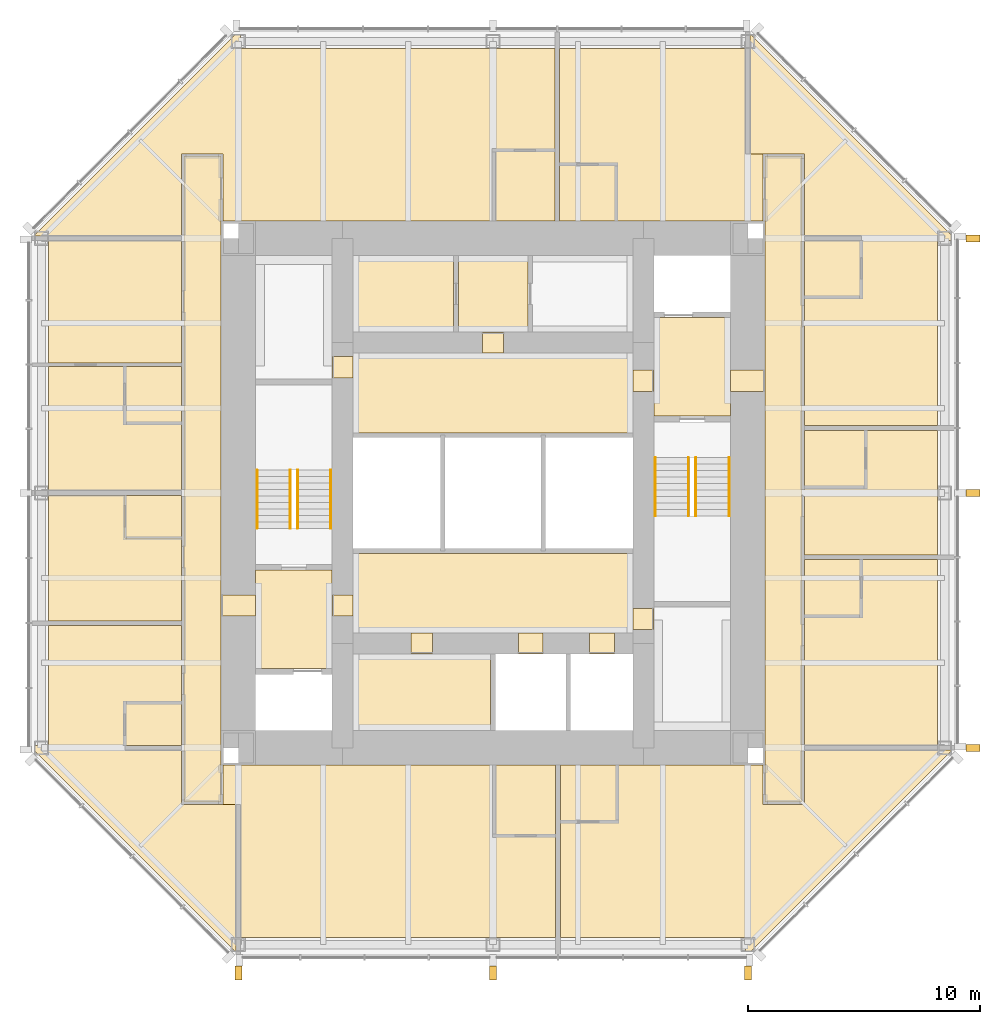
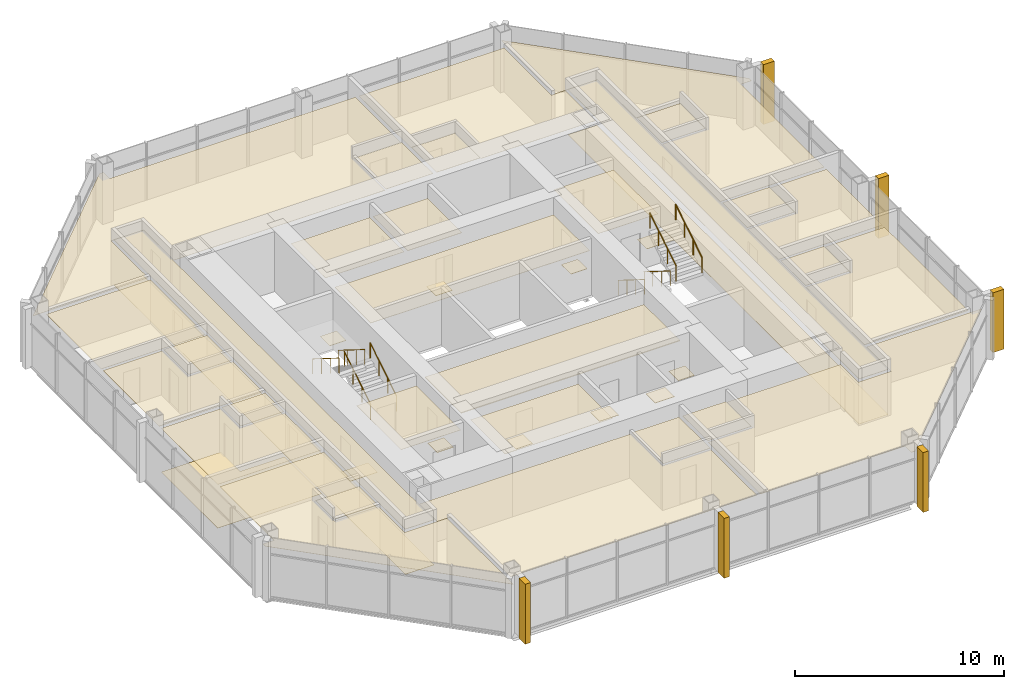
# One storey, part 11 of 11: 49 coverings, 8 railings.
"""IFC4 building model written with IfcOpenShell, lengths in metres."""

from ifc_helpers import new_model, si_unit, direction, frame, origin, origin_2d, place, context, subcontext, project, spatial, polyline, rectangle, circle, outline, extrude, material, layer, layer_set, type_object, element, save


model = new_model("IFC4")

# Units and contexts
model_context = context("Model", 3, precision=1e-05, world=origin(), true_north=direction((0.0, 1.0)))
body_context = subcontext(model_context, "Body", "Model", "MODEL_VIEW")
ifc_project = project(units=[si_unit("LENGTHUNIT", "METRE"), si_unit("AREAUNIT", "SQUARE_METRE"), si_unit("VOLUMEUNIT", "CUBIC_METRE"), si_unit("PLANEANGLEUNIT", "RADIAN"), si_unit("MASSUNIT", "GRAM", prefix="KILO")], contexts=[model_context])

# Site, building, storey
site_placement = place(None, origin())
site = spatial("IfcSite", under=ifc_project, at=site_placement, CompositionType="ELEMENT")
building_placement = place(site_placement, origin())
building = spatial("IfcBuilding", under=site, at=building_placement, Name="Trevanion Tower", CompositionType="ELEMENT")
storey_placement = place(building_placement, frame((0.0, 0.0, 250.199951171875)))
storey = spatial("IfcBuildingStorey", under=building, at=storey_placement, Name="L61", CompositionType="ELEMENT", Elevation=250.199951171875)

# Coverings
ifc_material_1 = material(Name="Fibrous plaster coffers on suspended steel grid", Category="steel")
ifc_layer_1 = layer(ifc_material_1, 0.050048828125)
ifc_layer_set_1 = layer_set([ifc_layer_1], Name="CL1 coffered fibrous plaster ceiling 50")
covering_type_1 = type_object("IfcCoveringType", Name="CL1 coffered fibrous plaster ceiling 50", PredefinedType="CEILING", material=ifc_layer_set_1)
covering_1_placement = place(storey_placement, frame((0.0, 0.0, 2.429931640625)))
element("IfcCovering", 1, at=covering_1_placement, inside=storey, type_object=covering_type_1, Name="CL1 L61-LBS", PredefinedType="CEILING", context=body_context, shape_type="SweptSolid", body=[
    extrude(outline(polyline([(6.050048828125, -6.050048828125), (6.050048828125, -2.60009765625), (-6.050048828125, -2.60009765625), (-6.050048828125, -6.050048828125), (6.050048828125, -6.050048828125)])), origin(), (0.0, 0.0, 1.0), 0.050048828125),
])
ifc_material_2 = material(Name="Mineral fibre acoustic tiles in exposed grid", Category="mineral fibre")
ifc_layer_2 = layer(ifc_material_2, 0.02001953125)
ifc_layer_set_2 = layer_set([ifc_layer_2], Name="CL2 acoustic tile ceiling 20")
covering_type_2 = type_object("IfcCoveringType", Name="CL2 acoustic tile ceiling 20", PredefinedType="CEILING", material=ifc_layer_set_2)
covering_2_placement = place(storey_placement, frame((0.0, 0.0, 2.4599609375)))
element("IfcCovering", 2, at=covering_2_placement, inside=storey, type_object=covering_type_2, Name="CL2 L61-LBN", PredefinedType="CEILING", context=body_context, shape_type="SweptSolid", body=[
    extrude(outline(polyline([(6.050048828125, 2.60009765625), (6.050048828125, 6.050048828125), (-6.050048828125, 6.050048828125), (-6.050048828125, 2.60009765625), (6.050048828125, 2.60009765625)])), origin(), (0.0, 0.0, 1.0), 0.02001953125),
])
covering_3_placement = place(storey_placement, frame((0.0, 0.0, 2.4599609375)))
element("IfcCovering", 3, at=covering_3_placement, inside=storey, type_object=covering_type_2, Name="CL2 L61-HKC", PredefinedType="CEILING", context=body_context, shape_type="SweptSolid", body=[
    extrude(outline(polyline([(1.5, 6.949951171875), (1.5, 10.25), (-1.5, 10.25), (-1.5, 6.949951171875), (1.5, 6.949951171875)])), origin(), (0.0, 0.0, 1.0), 0.02001953125),
])
covering_4_placement = place(storey_placement, frame((0.0, 0.0, 2.633056640625)))
element("IfcCovering", 4, at=covering_4_placement, inside=storey, type_object=covering_type_2, Name="CL2 L61-CO1", PredefinedType="CEILING", context=body_context, shape_type="SweptSolid", body=[
    extrude(outline(polyline([(-11.75, 14.550048828125), (-11.75, -13.35009765625), (-13.35009765625, -13.35009765625), (-13.35009765625, 14.550048828125), (-11.75, 14.550048828125)])), origin(), (0.0, 0.0, 1.0), 0.02001953125),
])
covering_5_placement = place(storey_placement, frame((0.0, 0.0, 2.633056640625)))
element("IfcCovering", 5, at=covering_5_placement, inside=storey, type_object=covering_type_2, Name="CL2 L61-CO2", PredefinedType="CEILING", context=body_context, shape_type="SweptSolid", body=[
    extrude(outline(polyline([(11.75, -13.35009765625), (11.75, 14.550048828125), (13.35009765625, 14.550048828125), (13.35009765625, -13.35009765625), (11.75, -13.35009765625)])), origin(), (0.0, 0.0, 1.0), 0.02001953125),
])
ifc_material_3 = material(Name="Gypsum plasterboard on suspended metal furring", Category="gypsum")
ifc_layer_3 = layer(ifc_material_3, 0.012939453125)
ifc_layer_set_3 = layer_set([ifc_layer_3], Name="CL3 plasterboard ceiling 13")
covering_type_3 = type_object("IfcCoveringType", Name="CL3 plasterboard ceiling 13", PredefinedType="CEILING", material=ifc_layer_set_3)
covering_6_placement = place(storey_placement, frame((0.0, 0.0, 2.699951171875)))
element("IfcCovering", 6, at=covering_6_placement, inside=storey, type_object=covering_type_3, Name="CL3 L61-FV1", PredefinedType="CEILING", context=body_context, shape_type="SweptSolid", body=[
    extrude(outline(polyline([(10.25, 3.324951171875), (10.25, 7.574951171875), (6.949951171875, 7.574951171875), (6.949951171875, 3.324951171875), (10.25, 3.324951171875)])), origin(), (0.0, 0.0, 1.0), 0.01318359375),
])
covering_7_placement = place(storey_placement, frame((0.0, 0.0, 2.699951171875)))
element("IfcCovering", 7, at=covering_7_placement, inside=storey, type_object=covering_type_3, Name="CL3 L61-FV2", PredefinedType="CEILING", context=body_context, shape_type="SweptSolid", body=[
    extrude(outline(polyline([(-10.25, -3.324951171875), (-10.25, -7.574951171875), (-6.949951171875, -7.574951171875), (-6.949951171875, -3.324951171875), (-10.25, -3.324951171875)])), origin(), (0.0, 0.0, 1.0), 0.01318359375),
])
covering_8_placement = place(storey_placement, frame((0.0, 0.0, 2.551025390625)))
element("IfcCovering", 8, at=covering_8_placement, inside=storey, type_object=covering_type_3, Name="CL3 L61-GJ", PredefinedType="CEILING", context=body_context, shape_type="SweptSolid", body=[
    extrude(outline(polyline([(13.449951171875, -5.324951171875), (15.89990234375, -5.324951171875), (15.89990234375, -2.875), (19.199951171875, -2.875), (19.199951171875, -10.89990234375), (13.449951171875, -10.89990234375), (13.449951171875, -5.324951171875)])), origin(), (0.0, 0.0, 1.0), 0.012939453125),
])
covering_9_placement = place(storey_placement, frame((0.0, 0.0, 2.551025390625)))
element("IfcCovering", 9, at=covering_9_placement, inside=storey, type_object=covering_type_3, Name="CL3 L61-GA", PredefinedType="CEILING", context=body_context, shape_type="SweptSolid", body=[
    extrude(outline(polyline([(13.449951171875, 0.257080078125), (16.10009765625, 0.257080078125), (16.10009765625, 2.70703125), (19.199951171875, 2.70703125), (19.199951171875, -2.675048828125), (13.449951171875, -2.675048828125), (13.449951171875, 0.257080078125)])), origin(), (0.0, 0.0, 1.0), 0.012939453125),
])
covering_10_placement = place(storey_placement, frame((0.0, 0.0, 2.551025390625)))
element("IfcCovering", 10, at=covering_10_placement, inside=storey, type_object=covering_type_3, Name="CL3 L61-GJ2", PredefinedType="CEILING", context=body_context, shape_type="SweptSolid", body=[
    extrude(outline(polyline([(11.10009765625, 14.64990234375), (11.10009765625, 19.800048828125), (11.124267578125, 19.800048828125), (19.800048828125, 11.124267578125), (19.800048828125, 10.89990234375), (19.199951171875, 10.89990234375), (19.199951171875, 2.906982421875), (13.449951171875, 2.906982421875), (13.449951171875, 8.449951171875), (15.89990234375, 8.449951171875), (15.89990234375, 10.949951171875), (13.449951171875, 10.949951171875), (13.449951171875, 14.64990234375), (11.10009765625, 14.64990234375)])), origin(), (0.0, 0.0, 1.0), 0.012939453125),
])
covering_11_placement = place(storey_placement, frame((0.0, 0.0, 2.551025390625)))
element("IfcCovering", 11, at=covering_11_placement, inside=storey, type_object=covering_type_3, Name="CL3 L61-GJ3", PredefinedType="CEILING", context=body_context, shape_type="SweptSolid", body=[
    extrude(outline(polyline([(2.875, 19.199951171875), (10.89990234375, 19.199951171875), (10.89990234375, 14.64990234375), (11.64990234375, 14.64990234375), (11.64990234375, 11.75), (5.324951171875, 11.75), (5.324951171875, 14.199951171875), (2.875, 14.199951171875), (2.875, 19.199951171875)])), origin(), (0.0, 0.0, 1.0), 0.012939453125),
])
covering_12_placement = place(storey_placement, frame((0.0, 0.0, 2.551025390625)))
element("IfcCovering", 12, at=covering_12_placement, inside=storey, type_object=covering_type_3, Name="CL3 L61-GY", PredefinedType="CEILING", context=body_context, shape_type="SweptSolid", body=[
    extrude(outline(polyline([(-13.449951171875, 11.10009765625), (-19.800048828125, 11.10009765625), (-19.800048828125, 11.124267578125), (-11.124267578125, 19.800048828125), (-10.89990234375, 19.800048828125), (-10.89990234375, 19.199951171875), (2.675048828125, 19.199951171875), (2.675048828125, 14.800048828125), (0.02490234375, 14.800048828125), (0.02490234375, 11.75), (-11.64990234375, 11.75), (-11.64990234375, 14.64990234375), (-13.449951171875, 14.64990234375), (-13.449951171875, 11.10009765625)])), origin(), (0.0, 0.0, 1.0), 0.012939453125),
])
covering_13_placement = place(storey_placement, frame((0.0, 0.0, 2.551025390625)))
element("IfcCovering", 13, at=covering_13_placement, inside=storey, type_object=covering_type_3, Name="CL3 L61-SL", PredefinedType="CEILING", context=body_context, shape_type="SweptSolid", body=[
    extrude(outline(polyline([(-13.449951171875, 10.89990234375), (-13.449951171875, 5.6240234375), (-19.199951171875, 5.6240234375), (-19.199951171875, 10.89990234375), (-13.449951171875, 10.89990234375)])), origin(), (0.0, 0.0, 1.0), 0.012939453125),
])
covering_14_placement = place(storey_placement, frame((0.0, 0.0, 2.551025390625)))
element("IfcCovering", 14, at=covering_14_placement, inside=storey, type_object=covering_type_3, Name="CL3 L61-SB", PredefinedType="CEILING", context=body_context, shape_type="SweptSolid", body=[
    extrude(outline(polyline([(-13.449951171875, 0.10009765625), (-19.199951171875, 0.10009765625), (-19.199951171875, 5.47412109375), (-15.89990234375, 5.47412109375), (-15.89990234375, 3.02392578125), (-13.449951171875, 3.02392578125), (-13.449951171875, 0.10009765625)])), origin(), (0.0, 0.0, 1.0), 0.012939453125),
])
covering_15_placement = place(storey_placement, frame((0.0, 0.0, 2.551025390625)))
element("IfcCovering", 15, at=covering_15_placement, inside=storey, type_object=covering_type_3, Name="CL3 L61-GR", PredefinedType="CEILING", context=body_context, shape_type="SweptSolid", body=[
    extrude(outline(polyline([(-13.449951171875, -5.513916015625), (-19.199951171875, -5.513916015625), (-19.199951171875, -0.10009765625), (-15.89990234375, -0.10009765625), (-15.89990234375, -1.949951171875), (-13.449951171875, -1.949951171875), (-13.449951171875, -5.513916015625)])), origin(), (0.0, 0.0, 1.0), 0.012939453125),
])
covering_16_placement = place(storey_placement, frame((0.0, 0.0, 2.551025390625)))
element("IfcCovering", 16, at=covering_16_placement, inside=storey, type_object=covering_type_3, Name="CL3 L61-GR2", PredefinedType="CEILING", context=body_context, shape_type="SweptSolid", body=[
    extrude(outline(polyline([(-11.10009765625, -13.449951171875), (-11.10009765625, -19.800048828125), (-11.124267578125, -19.800048828125), (-19.800048828125, -11.124267578125), (-19.800048828125, -10.89990234375), (-19.199951171875, -10.89990234375), (-19.199951171875, -5.714111328125), (-13.449951171875, -5.714111328125), (-13.449951171875, -9.050048828125), (-15.89990234375, -9.050048828125), (-15.89990234375, -10.949951171875), (-13.449951171875, -10.949951171875), (-13.449951171875, -13.449951171875), (-11.10009765625, -13.449951171875)])), origin(), (0.0, 0.0, 1.0), 0.012939453125),
])
covering_17_placement = place(storey_placement, frame((0.0, 0.0, 2.551025390625)))
element("IfcCovering", 17, at=covering_17_placement, inside=storey, type_object=covering_type_3, Name="CL3 L61-GY2", PredefinedType="CEILING", context=body_context, shape_type="SweptSolid", body=[
    extrude(outline(polyline([(2.70703125, -19.199951171875), (-10.89990234375, -19.199951171875), (-10.89990234375, -13.449951171875), (-11.64990234375, -13.449951171875), (-11.64990234375, -11.75), (0.056884765625, -11.75), (0.056884765625, -14.800048828125), (2.70703125, -14.800048828125), (2.70703125, -19.199951171875)])), origin(), (0.0, 0.0, 1.0), 0.012939453125),
])
covering_18_placement = place(storey_placement, frame((0.0, 0.0, 2.551025390625)))
element("IfcCovering", 18, at=covering_18_placement, inside=storey, type_object=covering_type_3, Name="CL3 L61-GJ4", PredefinedType="CEILING", context=body_context, shape_type="SweptSolid", body=[
    extrude(outline(polyline([(13.449951171875, -11.10009765625), (19.800048828125, -11.10009765625), (19.800048828125, -11.124267578125), (11.124267578125, -19.800048828125), (10.89990234375, -19.800048828125), (10.89990234375, -19.199951171875), (2.906982421875, -19.199951171875), (2.906982421875, -14.199951171875), (5.35693359375, -14.199951171875), (5.35693359375, -11.75), (11.64990234375, -11.75), (11.64990234375, -13.449951171875), (13.449951171875, -13.449951171875), (13.449951171875, -11.10009765625)])), origin(), (0.0, 0.0, 1.0), 0.012939453125),
])
ifc_material_4 = material(Name="Moisture-resistant gypsum board on suspended metal furring", Category="gypsum")
ifc_layer_4 = layer(ifc_material_4, 0.01611328125)
ifc_layer_set_4 = layer_set([ifc_layer_4], Name="CL4 moisture-resistant board ceiling 16")
covering_type_4 = type_object("IfcCoveringType", Name="CL4 moisture-resistant board ceiling 16", PredefinedType="CEILING", material=ifc_layer_set_4)
covering_19_placement = place(storey_placement, frame((0.0, 0.0, 2.60009765625)))
element("IfcCovering", 19, at=covering_19_placement, inside=storey, type_object=covering_type_4, Name="CL4 L61-SI1", PredefinedType="CEILING", context=body_context, shape_type="SweptSolid", body=[
    extrude(outline(polyline([(-0.10009765625, -10.25), (-0.10009765625, -6.949951171875), (-6.050048828125, -6.949951171875), (-6.050048828125, -10.25), (-0.10009765625, -10.25)])), origin(), (0.0, 0.0, 1.0), 0.015869140625),
])
covering_20_placement = place(storey_placement, frame((0.0, 0.0, 2.464111328125)))
element("IfcCovering", 20, at=covering_20_placement, inside=storey, type_object=covering_type_4, Name="CL4 L61-HK", PredefinedType="CEILING", context=body_context, shape_type="SweptSolid", body=[
    extrude(outline(polyline([(-1.699951171875, 6.949951171875), (-1.699951171875, 10.25), (-6.050048828125, 10.25), (-6.050048828125, 6.949951171875), (-1.699951171875, 6.949951171875)])), origin(), (0.0, 0.0, 1.0), 0.015869140625),
])
covering_21_placement = place(storey_placement, frame((0.0, 0.0, 2.60009765625)))
element("IfcCovering", 21, at=covering_21_placement, inside=storey, type_object=covering_type_4, Name="CL4 L61-EN", PredefinedType="CEILING", context=body_context, shape_type="SweptSolid", body=[
    extrude(outline(polyline([(15.85009765625, -5.27490234375), (15.85009765625, -2.875), (13.449951171875, -2.875), (13.449951171875, -5.27490234375), (15.85009765625, -5.27490234375)])), origin(), (0.0, 0.0, 1.0), 0.015869140625),
])
covering_22_placement = place(storey_placement, frame((0.0, 0.0, 2.60009765625)))
element("IfcCovering", 22, at=covering_22_placement, inside=storey, type_object=covering_type_4, Name="CL4 L61-EN2", PredefinedType="CEILING", context=body_context, shape_type="SweptSolid", body=[
    extrude(outline(polyline([(16.050048828125, 0.306884765625), (16.050048828125, 2.70703125), (13.449951171875, 2.70703125), (13.449951171875, 0.306884765625), (16.050048828125, 0.306884765625)])), origin(), (0.0, 0.0, 1.0), 0.015869140625),
])
covering_23_placement = place(storey_placement, frame((0.0, 0.0, 2.60009765625)))
element("IfcCovering", 23, at=covering_23_placement, inside=storey, type_object=covering_type_4, Name="CL4 L61-EN3", PredefinedType="CEILING", context=body_context, shape_type="SweptSolid", body=[
    extrude(outline(polyline([(15.85009765625, 8.5), (15.85009765625, 10.89990234375), (13.449951171875, 10.89990234375), (13.449951171875, 8.5), (15.85009765625, 8.5)])), origin(), (0.0, 0.0, 1.0), 0.015869140625),
])
covering_24_placement = place(storey_placement, frame((0.0, 0.0, 2.60009765625)))
element("IfcCovering", 24, at=covering_24_placement, inside=storey, type_object=covering_type_4, Name="CL4 L61-EN4", PredefinedType="CEILING", context=body_context, shape_type="SweptSolid", body=[
    extrude(outline(polyline([(5.27490234375, 14.14990234375), (2.875, 14.14990234375), (2.875, 11.75), (5.27490234375, 11.75), (5.27490234375, 14.14990234375)])), origin(), (0.0, 0.0, 1.0), 0.015869140625),
])
covering_25_placement = place(storey_placement, frame((0.0, 0.0, 2.60009765625)))
element("IfcCovering", 25, at=covering_25_placement, inside=storey, type_object=covering_type_4, Name="CL4 L61-EN5", PredefinedType="CEILING", context=body_context, shape_type="SweptSolid", body=[
    extrude(outline(polyline([(2.675048828125, 14.75), (0.074951171875, 14.75), (0.074951171875, 11.75), (2.675048828125, 11.75), (2.675048828125, 14.75)])), origin(), (0.0, 0.0, 1.0), 0.015869140625),
])
covering_26_placement = place(storey_placement, frame((0.0, 0.0, 2.60009765625)))
element("IfcCovering", 26, at=covering_26_placement, inside=storey, type_object=covering_type_4, Name="CL4 L61-SN", PredefinedType="CEILING", context=body_context, shape_type="SweptSolid", body=[
    extrude(outline(polyline([(-15.85009765625, 5.47412109375), (-15.85009765625, 3.073974609375), (-13.449951171875, 3.073974609375), (-13.449951171875, 5.47412109375), (-15.85009765625, 5.47412109375)])), origin(), (0.0, 0.0, 1.0), 0.015869140625),
])
covering_27_placement = place(storey_placement, frame((0.0, 0.0, 2.60009765625)))
element("IfcCovering", 27, at=covering_27_placement, inside=storey, type_object=covering_type_4, Name="CL4 L61-EN6", PredefinedType="CEILING", context=body_context, shape_type="SweptSolid", body=[
    extrude(outline(polyline([(-15.85009765625, -0.10009765625), (-15.85009765625, -1.89990234375), (-13.449951171875, -1.89990234375), (-13.449951171875, -0.10009765625), (-15.85009765625, -0.10009765625)])), origin(), (0.0, 0.0, 1.0), 0.015869140625),
])
covering_28_placement = place(storey_placement, frame((0.0, 0.0, 2.60009765625)))
element("IfcCovering", 28, at=covering_28_placement, inside=storey, type_object=covering_type_4, Name="CL4 L61-EN7", PredefinedType="CEILING", context=body_context, shape_type="SweptSolid", body=[
    extrude(outline(polyline([(-15.85009765625, -9.10009765625), (-15.85009765625, -10.89990234375), (-13.449951171875, -10.89990234375), (-13.449951171875, -9.10009765625), (-15.85009765625, -9.10009765625)])), origin(), (0.0, 0.0, 1.0), 0.015869140625),
])
covering_29_placement = place(storey_placement, frame((0.0, 0.0, 2.60009765625)))
element("IfcCovering", 29, at=covering_29_placement, inside=storey, type_object=covering_type_4, Name="CL4 L61-EN8", PredefinedType="CEILING", context=body_context, shape_type="SweptSolid", body=[
    extrude(outline(polyline([(0.10693359375, -14.75), (2.70703125, -14.75), (2.70703125, -11.75), (0.10693359375, -11.75), (0.10693359375, -14.75)])), origin(), (0.0, 0.0, 1.0), 0.015869140625),
])
covering_30_placement = place(storey_placement, frame((0.0, 0.0, 2.60009765625)))
element("IfcCovering", 30, at=covering_30_placement, inside=storey, type_object=covering_type_4, Name="CL4 L61-EN9", PredefinedType="CEILING", context=body_context, shape_type="SweptSolid", body=[
    extrude(outline(polyline([(2.906982421875, -14.14990234375), (5.306884765625, -14.14990234375), (5.306884765625, -11.75), (2.906982421875, -11.75), (2.906982421875, -14.14990234375)])), origin(), (0.0, 0.0, 1.0), 0.015869140625),
])
ifc_material_5 = material(Name="Cast bronze fin on aluminium carrier", Category="aluminium")
covering_type_5 = type_object("IfcCoveringType", Name="F1 bronze fin", PredefinedType="CLADDING", material=ifc_material_5)
for number, where, z_axis, x_axis, name in (
    (31, (20.72509765625, -11.0, -0.18994140625), (0.0, 0.0, 1.0), (0.0, 1.0, 0.0), "F1 L61 east -11.0"),
    (32, (20.72509765625, 0.0, -0.18994140625), (0.0, 0.0, 1.0), (0.0, 1.0, 0.0), "F1 L61 east +0.0"),
    (33, (20.72509765625, 11.0, -0.18994140625), (0.0, 0.0, 1.0), (0.0, 1.0, 0.0), "F1 L61 east +11.0"),
    (34, (-11.0, -20.72509765625, -0.18994140625), (0.0, 0.0, 1.0), (1.0, 0.0, 0.0), "F1 L61 south -11.0"),
    (35, (0.0, -20.72509765625, -0.18994140625), (0.0, 0.0, 1.0), (1.0, 0.0, 0.0), "F1 L61 south +0.0"),
    (36, (11.0, -20.72509765625, -0.18994140625), (0.0, 0.0, 1.0), (1.0, 0.0, 0.0), "F1 L61 south +11.0"),
):
    element("IfcCovering", number, at=place(storey_placement, frame(where, z_axis=z_axis, x_axis=x_axis)), inside=storey, type_object=covering_type_5, Name=name, PredefinedType="CLADDING", context=body_context, shape_type="SweptSolid", body=[
        extrude(rectangle(XDim=0.300048828125, YDim=0.60009765625, at=origin_2d()), origin(), (0.0, 0.0, 1.0), 3.5),
    ])
ifc_material_6 = material(Name="Terrazzo, brass divider strips", Category="stone")
ifc_layer_5 = layer(ifc_material_6, 0.02001953125)
ifc_layer_set_5 = layer_set([ifc_layer_5], Name="FF1 terrazzo flooring")
covering_type_6 = type_object("IfcCoveringType", Name="FF1 terrazzo flooring", PredefinedType="FLOORING", material=ifc_layer_set_5)
covering_31_placement = place(storey_placement, origin())
element("IfcCovering", 37, at=covering_31_placement, inside=storey, type_object=covering_type_6, Name="FF1 threshold 61-001", PredefinedType="FLOORING", context=body_context, shape_type="SweptSolid", body=[
    extrude(outline(polyline([(11.75, 4.392578125), (11.75, 5.3076171875), (10.25, 5.3076171875), (10.25, 4.392578125), (11.75, 4.392578125)])), origin(), (0.0, 0.0, 1.0), 0.02001953125),
])
covering_32_placement = place(storey_placement, origin())
element("IfcCovering", 38, at=covering_32_placement, inside=storey, type_object=covering_type_6, Name="FF1 threshold 61-002", PredefinedType="FLOORING", context=body_context, shape_type="SweptSolid", body=[
    extrude(outline(polyline([(-11.75, -4.392578125), (-11.75, -5.3076171875), (-10.25, -5.3076171875), (-10.25, -4.392578125), (-11.75, -4.392578125)])), origin(), (0.0, 0.0, 1.0), 0.02001953125),
])
covering_33_placement = place(storey_placement, origin())
element("IfcCovering", 39, at=covering_33_placement, inside=storey, type_object=covering_type_6, Name="FF1 threshold 61-003", PredefinedType="FLOORING", context=body_context, shape_type="SweptSolid", body=[
    extrude(outline(polyline([(6.949951171875, 4.392578125), (6.949951171875, 5.3076171875), (6.050048828125, 5.3076171875), (6.050048828125, 4.392578125), (6.949951171875, 4.392578125)])), origin(), (0.0, 0.0, 1.0), 0.02001953125),
])
covering_34_placement = place(storey_placement, origin())
element("IfcCovering", 40, at=covering_34_placement, inside=storey, type_object=covering_type_6, Name="FF1 threshold 61-004", PredefinedType="FLOORING", context=body_context, shape_type="SweptSolid", body=[
    extrude(outline(polyline([(-6.949951171875, -4.392578125), (-6.949951171875, -5.3076171875), (-6.050048828125, -5.3076171875), (-6.050048828125, -4.392578125), (-6.949951171875, -4.392578125)])), origin(), (0.0, 0.0, 1.0), 0.02001953125),
])
covering_35_placement = place(storey_placement, origin())
element("IfcCovering", 41, at=covering_35_placement, inside=storey, type_object=covering_type_6, Name="FF1 threshold 61-009", PredefinedType="FLOORING", context=body_context, shape_type="SweptSolid", body=[
    extrude(outline(polyline([(6.949951171875, -5.889892578125), (6.949951171875, -4.97509765625), (6.050048828125, -4.97509765625), (6.050048828125, -5.889892578125), (6.949951171875, -5.889892578125)])), origin(), (0.0, 0.0, 1.0), 0.02001953125),
])
covering_36_placement = place(storey_placement, origin())
element("IfcCovering", 42, at=covering_36_placement, inside=storey, type_object=covering_type_6, Name="FF1 threshold 61-010", PredefinedType="FLOORING", context=body_context, shape_type="SweptSolid", body=[
    extrude(outline(polyline([(-6.949951171875, 5.889892578125), (-6.949951171875, 4.97509765625), (-6.050048828125, 4.97509765625), (-6.050048828125, 5.889892578125), (-6.949951171875, 5.889892578125)])), origin(), (0.0, 0.0, 1.0), 0.02001953125),
])
covering_37_placement = place(storey_placement, origin())
element("IfcCovering", 43, at=covering_37_placement, inside=storey, type_object=covering_type_6, Name="FF1 threshold 61-011", PredefinedType="FLOORING", context=body_context, shape_type="SweptSolid", body=[
    extrude(outline(polyline([(1.091552734375, -6.949951171875), (2.158447265625, -6.949951171875), (2.158447265625, -6.050048828125), (1.091552734375, -6.050048828125), (1.091552734375, -6.949951171875)])), origin(), (0.0, 0.0, 1.0), 0.02001953125),
])
covering_38_placement = place(storey_placement, origin())
element("IfcCovering", 44, at=covering_38_placement, inside=storey, type_object=covering_type_6, Name="FF1 threshold 61-012", PredefinedType="FLOORING", context=body_context, shape_type="SweptSolid", body=[
    extrude(outline(polyline([(4.16650390625, -6.949951171875), (5.2333984375, -6.949951171875), (5.2333984375, -6.050048828125), (4.16650390625, -6.050048828125), (4.16650390625, -6.949951171875)])), origin(), (0.0, 0.0, 1.0), 0.02001953125),
])
covering_39_placement = place(storey_placement, origin())
element("IfcCovering", 45, at=covering_39_placement, inside=storey, type_object=covering_type_6, Name="FF1 threshold 61-013", PredefinedType="FLOORING", context=body_context, shape_type="SweptSolid", body=[
    extrude(outline(polyline([(-3.532470703125, -6.949951171875), (-2.617431640625, -6.949951171875), (-2.617431640625, -6.050048828125), (-3.532470703125, -6.050048828125), (-3.532470703125, -6.949951171875)])), origin(), (0.0, 0.0, 1.0), 0.02001953125),
])
covering_40_placement = place(storey_placement, origin())
element("IfcCovering", 46, at=covering_40_placement, inside=storey, type_object=covering_type_6, Name="FF1 threshold 61-014", PredefinedType="FLOORING", context=body_context, shape_type="SweptSolid", body=[
    extrude(outline(polyline([(0.45751953125, 6.949951171875), (-0.45751953125, 6.949951171875), (-0.45751953125, 6.050048828125), (0.45751953125, 6.050048828125), (0.45751953125, 6.949951171875)])), origin(), (0.0, 0.0, 1.0), 0.02001953125),
])
ifc_material_7 = material(Name="Wool carpet on underlay", Category="textile")
ifc_layer_6 = layer(ifc_material_7, 0.011962890625)
ifc_layer_set_6 = layer_set([ifc_layer_6], Name="FF2 carpet flooring")
covering_type_7 = type_object("IfcCoveringType", Name="FF2 carpet flooring", PredefinedType="FLOORING", material=ifc_layer_set_6)
covering_41_placement = place(storey_placement, origin())
element("IfcCovering", 47, at=covering_41_placement, inside=storey, type_object=covering_type_7, Name="FF2 L61-CO1", PredefinedType="FLOORING", context=body_context, shape_type="SweptSolid", body=[
    extrude(outline(polyline([(-11.75, 14.550048828125), (-11.75, -13.35009765625), (-13.35009765625, -13.35009765625), (-13.35009765625, 14.550048828125), (-11.75, 14.550048828125)])), origin(), (0.0, 0.0, 1.0), 0.011962890625),
])
covering_42_placement = place(storey_placement, origin())
element("IfcCovering", 48, at=covering_42_placement, inside=storey, type_object=covering_type_7, Name="FF2 L61-CO2", PredefinedType="FLOORING", context=body_context, shape_type="SweptSolid", body=[
    extrude(outline(polyline([(11.75, -13.35009765625), (11.75, 14.550048828125), (13.35009765625, 14.550048828125), (13.35009765625, -13.35009765625), (11.75, -13.35009765625)])), origin(), (0.0, 0.0, 1.0), 0.011962890625),
])
covering_43_placement = place(storey_placement, origin())
element("IfcCovering", 49, at=covering_43_placement, inside=storey, type_object=covering_type_7, Name="FF2 L61-GR", PredefinedType="FLOORING", context=body_context, shape_type="SweptSolid", body=[
    extrude(outline(polyline([(-13.449951171875, -5.513916015625), (-19.199951171875, -5.513916015625), (-19.199951171875, -0.10009765625), (-15.89990234375, -0.10009765625), (-15.89990234375, -1.949951171875), (-13.449951171875, -1.949951171875), (-13.449951171875, -5.513916015625)])), origin(), (0.0, 0.0, 1.0), 0.011962890625),
])

# Railings
ifc_material_8 = material(Name="Stainless steel tube 40 mm", Category="steel")
railing_type = type_object("IfcRailingType", Name="HR1 handrail", PredefinedType="HANDRAIL", material=ifc_material_8)
for number, where, name in (
    (50, (7.010009765625, 1.52490234375, 0.175048828125), "HR1 ST1 L61 flight 1"),
    (51, (8.43994140625, 1.52490234375, 0.175048828125), "HR1 ST1 L61 flight 1"),
):
    element("IfcRailing", number, at=place(storey_placement, frame(where)), inside=storey, type_object=railing_type, Name=name, PredefinedType="HANDRAIL", context=body_context, shape_type="SweptSolid", body=[
        extrude(circle(Radius=0.02001953125, at=origin_2d()), frame((0.0, 0.0, 0.8798828125), z_axis=(0.0, -0.848007534815, 0.529984170421), x_axis=(1.0, 0.0, 0.0)), (0.0, 0.0, 1.0), 2.9716796875),
        extrude(circle(Radius=0.01513671875, at=origin_2d()), origin(), (0.0, 0.0, 1.0), 0.85986328125),
        extrude(circle(Radius=0.01513671875, at=origin_2d()), frame((0.0, -0.840087890625, 0.52490234375)), (0.0, 0.0, 1.0), 0.85986328125),
        extrude(circle(Radius=0.01513671875, at=origin_2d()), frame((0.0, -1.679931640625, 1.050048828125)), (0.0, 0.0, 1.0), 0.85986328125),
        extrude(circle(Radius=0.01513671875, at=origin_2d()), frame((0.0, -2.52001953125, 1.574951171875)), (0.0, 0.0, 1.0), 0.85986328125),
    ])
for number, where, name in (
    (52, (8.760009765625, -0.9951171875, 1.925048828125), "HR1 ST1 L61 flight 2"),
    (53, (10.18994140625, -0.9951171875, 1.925048828125), "HR1 ST1 L61 flight 2"),
    (54, (-7.010009765625, -1.52490234375, 0.175048828125), "HR1 ST2 L61 flight 1"),
    (55, (-8.43994140625, -1.52490234375, 0.175048828125), "HR1 ST2 L61 flight 1"),
):
    element("IfcRailing", number, at=place(storey_placement, frame(where)), inside=storey, type_object=railing_type, Name=name, PredefinedType="HANDRAIL", context=body_context, shape_type="SweptSolid", body=[
        extrude(circle(Radius=0.02001953125, at=origin_2d()), frame((0.0, 0.0, 0.8798828125), z_axis=(0.0, 0.848007534815, 0.529984170421), x_axis=(-1.0, 0.0, 0.0)), (0.0, 0.0, 1.0), 2.9716796875),
        extrude(circle(Radius=0.01513671875, at=origin_2d()), origin(), (0.0, 0.0, 1.0), 0.85986328125),
        extrude(circle(Radius=0.01513671875, at=origin_2d()), frame((0.0, 0.840087890625, 0.52490234375)), (0.0, 0.0, 1.0), 0.85986328125),
        extrude(circle(Radius=0.01513671875, at=origin_2d()), frame((0.0, 1.679931640625, 1.050048828125)), (0.0, 0.0, 1.0), 0.85986328125),
        extrude(circle(Radius=0.01513671875, at=origin_2d()), frame((0.0, 2.52001953125, 1.574951171875)), (0.0, 0.0, 1.0), 0.85986328125),
    ])
for number, where, name in (
    (56, (-8.760009765625, 0.9951171875, 1.925048828125), "HR1 ST2 L61 flight 2"),
    (57, (-10.18994140625, 0.9951171875, 1.925048828125), "HR1 ST2 L61 flight 2"),
):
    element("IfcRailing", number, at=place(storey_placement, frame(where)), inside=storey, type_object=railing_type, Name=name, PredefinedType="HANDRAIL", context=body_context, shape_type="SweptSolid", body=[
        extrude(circle(Radius=0.02001953125, at=origin_2d()), frame((0.0, 0.0, 0.8798828125), z_axis=(0.0, -0.848007534815, 0.529984170421), x_axis=(1.0, 0.0, 0.0)), (0.0, 0.0, 1.0), 2.9716796875),
        extrude(circle(Radius=0.01513671875, at=origin_2d()), origin(), (0.0, 0.0, 1.0), 0.85986328125),
        extrude(circle(Radius=0.01513671875, at=origin_2d()), frame((0.0, -0.840087890625, 0.52490234375)), (0.0, 0.0, 1.0), 0.85986328125),
        extrude(circle(Radius=0.01513671875, at=origin_2d()), frame((0.0, -1.679931640625, 1.050048828125)), (0.0, 0.0, 1.0), 0.85986328125),
        extrude(circle(Radius=0.01513671875, at=origin_2d()), frame((0.0, -2.52001953125, 1.574951171875)), (0.0, 0.0, 1.0), 0.85986328125),
    ])

save(model, "model.ifc")
